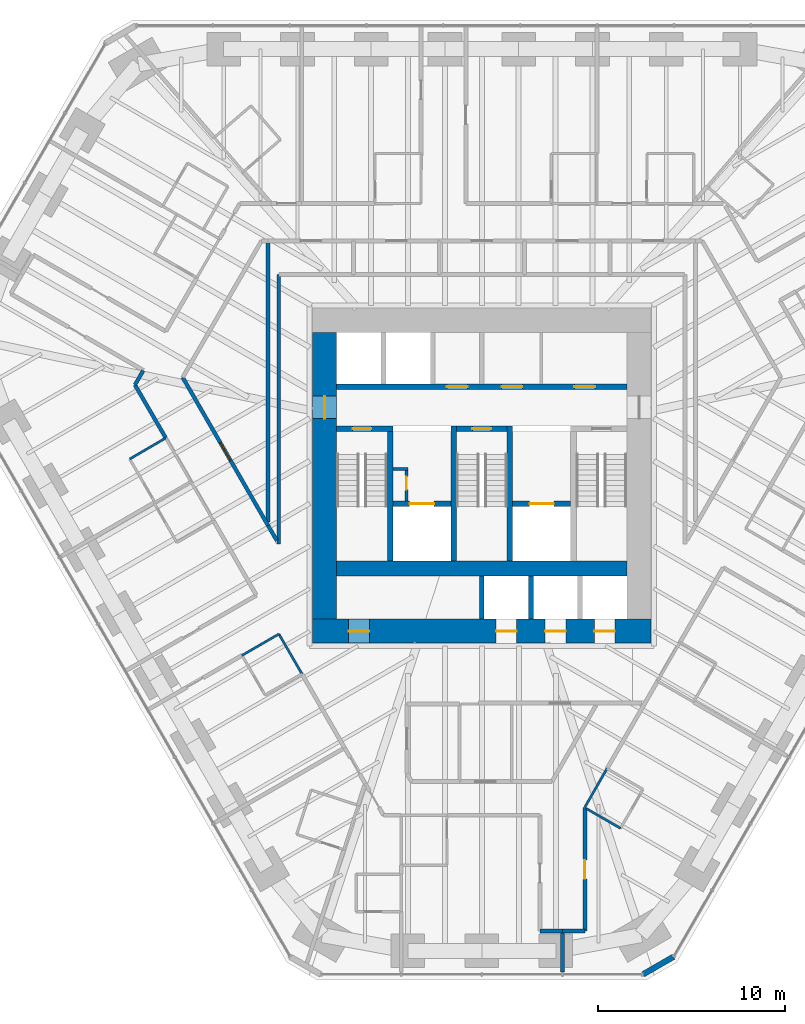
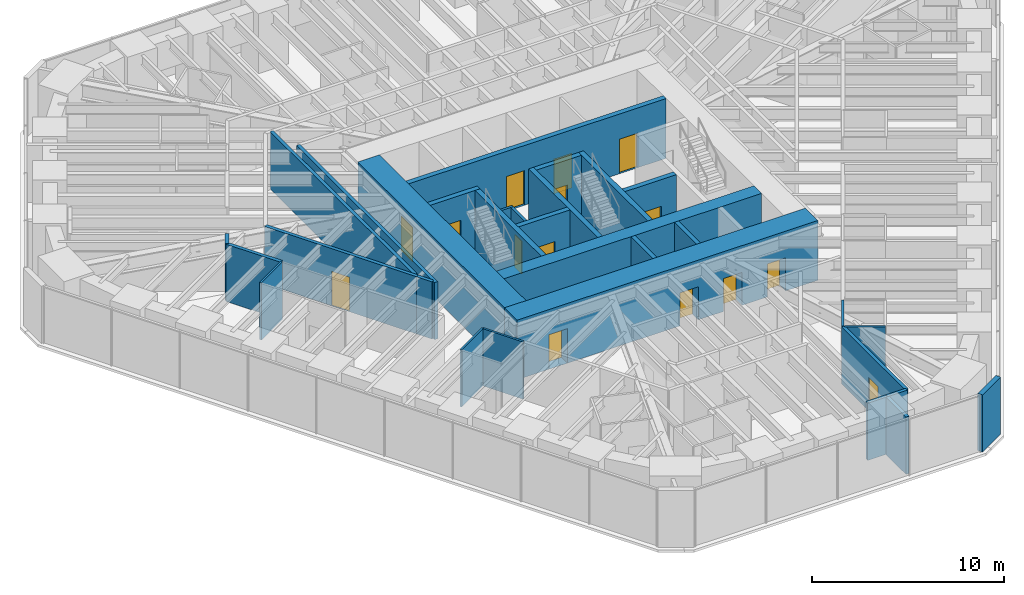
# One storey, part 12 of 17: 31 walls, 15 doors, 15 openings.
"""IFC4 building model written with IfcOpenShell, lengths in metres."""

from ifc_helpers import new_model, si_unit, direction, frame, frame_2d, origin, place, context, subcontext, project, spatial, rectangle, extrude, material, layer, layer_set, type_object, element, fill, save


model = new_model("IFC4")

# Units and contexts
model_context = context("Model", 3, precision=1e-05, world=origin(), true_north=direction((0.0, 1.0)))
body_context = subcontext(model_context, "Body", "Model", "MODEL_VIEW")
ifc_project = project(units=[si_unit("LENGTHUNIT", "METRE"), si_unit("AREAUNIT", "SQUARE_METRE"), si_unit("VOLUMEUNIT", "CUBIC_METRE"), si_unit("PLANEANGLEUNIT", "RADIAN"), si_unit("MASSUNIT", "GRAM", prefix="KILO")], contexts=[model_context])

# Site, building, storey
site_placement = place(None, origin())
site = spatial("IfcSite", under=ifc_project, at=site_placement, CompositionType="ELEMENT")
building_placement = place(site_placement, origin())
building = spatial("IfcBuilding", under=site, at=building_placement, Name="Sandreach Pilgrim Tower", CompositionType="ELEMENT")
storey_placement = place(building_placement, frame((0.0, 0.0, 127.199951171875)))
storey = spatial("IfcBuildingStorey", under=building, at=storey_placement, Name="L31", CompositionType="ELEMENT", Elevation=127.199951171875)

# Walls
ifc_material_1 = material(Name="Moisture-resistant gypsum board on steel studs", Category="steel")
ifc_layer_1 = layer(ifc_material_1, 0.1201171875)
ifc_layer_set_1 = layer_set([ifc_layer_1], Name="Bathroom partition 120")
wall_type_1 = type_object("IfcWallType", Name="Bathroom partition 120", PredefinedType="PARTITIONING", material=ifc_layer_set_1)
wall_1_placement = place(storey_placement, frame((-16.889892578125, 0.4599609375, 0.0), z_axis=(0.0, 0.0, 1.0), x_axis=(-0.863822716314, -0.503795905878, 0.0)))
element("IfcWall", 1, at=wall_1_placement, inside=storey, type_object=wall_type_1, Name="Bathroom partition L31-016", PredefinedType="PARTITIONING", context=body_context, shape_type="SweptSolid", body=[
    extrude(rectangle(XDim=2.222900390625, YDim=0.1201171875, at=frame_2d((1.111328125, 0.0))), origin(), (0.0, 0.0, 1.0), 3.64013671875),
])
wall_2_placement = place(storey_placement, frame((-12.81005859375, -11.14990234375, 0.0), z_axis=(0.0, 0.0, 1.0), x_axis=(0.865543766642, 0.500833293649, 0.0)))
element("IfcWall", 2, at=wall_2_placement, inside=storey, type_object=wall_type_1, Name="Bathroom partition L31-035", PredefinedType="PARTITIONING", context=body_context, shape_type="SweptSolid", body=[
    extrude(rectangle(XDim=2.27587890625, YDim=0.1201171875, at=frame_2d((1.137939453125, 0.0))), origin(), (0.0, 0.0, 1.0), 3.64013671875),
])
wall_3_placement = place(storey_placement, frame((-10.840087890625, -10.010009765625, 0.0), z_axis=(0.0, 0.0, 1.0), x_axis=(0.500089055364, -0.86597398154, 0.0)))
element("IfcWall", 3, at=wall_3_placement, inside=storey, type_object=wall_type_1, Name="Bathroom partition L31-048", PredefinedType="PARTITIONING", context=body_context, shape_type="SweptSolid", body=[
    extrude(rectangle(XDim=2.45947265625, YDim=0.1201171875, at=frame_2d((1.229736328125, 0.0))), origin(), (0.0, 0.0, 1.0), 3.64013671875),
])
wall_4_placement = place(storey_placement, frame((5.510009765625, -19.25, 0.0), z_axis=(0.0, 0.0, 1.0), x_axis=(0.498837591974, 0.866695481028, 0.0)))
element("IfcWall", 4, at=wall_4_placement, inside=storey, type_object=wall_type_1, Name="Bathroom partition L31-105", PredefinedType="PARTITIONING", context=body_context, shape_type="SweptSolid", body=[
    extrude(rectangle(XDim=2.365478515625, YDim=0.1201171875, at=frame_2d((1.1826171875, 0.0))), origin(), (0.0, 0.0, 1.0), 3.64013671875),
])
wall_5_placement = place(storey_placement, frame((5.566162109375, -19.322509765625, 0.0), z_axis=(0.0, 0.0, 1.0), x_axis=(0.865436746432, -0.501018201192, 0.0)))
element("IfcWall", 5, at=wall_5_placement, inside=storey, type_object=wall_type_1, Name="Bathroom partition L31-106", PredefinedType="PARTITIONING", context=body_context, shape_type="SweptSolid", body=[
    extrude(rectangle(XDim=2.13037109375, YDim=0.1201171875, at=frame_2d((1.065185546875, 0.0))), origin(), (0.0, 0.0, 1.0), 3.64013671875),
])
ifc_material_2 = material(Name="Concrete 10000 psi", Category="concrete")
ifc_layer_2 = layer(ifc_material_2, 0.300048828125)
ifc_layer_set_2 = layer_set([ifc_layer_2], Name="Core inner wall 300")
wall_type_2 = type_object("IfcWallType", Name="Core inner wall 300", PredefinedType="SHEAR", material=ifc_layer_set_2)
for number, where, z_axis, x_axis, name in (
    (6, (-4.89990234375, -6.10009765625, 0.0), (0.0, 0.0, 1.0), (0.0, 1.0, 0.0), "Core wall I0 L31"),
    (7, (-1.5, -6.10009765625, 0.0), (0.0, 0.0, 1.0), (0.0, 1.0, 0.0), "Core wall I1 L31"),
    (8, (1.5, -6.10009765625, 0.0), (0.0, 0.0, 1.0), (0.0, 1.0, 0.0), "Core wall I2 L31"),
):
    element("IfcWall", number, at=place(storey_placement, frame(where, z_axis=z_axis, x_axis=x_axis)), inside=storey, type_object=wall_type_2, Name=name, PredefinedType="SHEAR", context=body_context, shape_type="SweptSolid", body=[
        extrude(rectangle(XDim=7.2001953125, YDim=0.300048828125, at=frame_2d((3.60009765625, 0.0))), origin(), (0.0, 0.0, 1.0), 3.800048828125),
    ])

# Wall, opening, door
wall_6_placement = place(storey_placement, frame((-7.75, 0.949951171875, 0.0), z_axis=(0.0, 0.0, 1.0), x_axis=(1.0, 0.0, 0.0)))
wall_6 = element("IfcWall", 9, at=wall_6_placement, inside=storey, type_object=wall_type_2, Name="Core wall SN1 L31", PredefinedType="SHEAR", context=body_context, shape_type="SweptSolid", body=[
    extrude(rectangle(XDim=3.0, YDim=0.300048828125, at=frame_2d((1.5, 0.0))), origin(), (0.0, 0.0, 1.0), 3.800048828125),
])
opening_1_placement = place(wall_6_placement, frame((0.85009765625, 0.0, 0.0)))
opening_1 = element("IfcOpeningElement", 10, at=opening_1_placement, cuts=wall_6, Name="Opening D10S-ST1", PredefinedType="OPENING", context=body_context, shape_type="SweptSolid", body=[
    extrude(rectangle(XDim=1.0, YDim=2.199951171875, at=frame_2d((0.5, 1.10009765625))), frame((0.0, 0.14990234375, 0.0), z_axis=(0.0, -1.0, 0.0), x_axis=(1.0, 0.0, 0.0)), (0.0, 0.0, 1.0), 0.300048828125),
])
ifc_material_3 = material(Name="Steel door and frame", Category="steel")
door_type_1 = type_object("IfcDoorType", Name="Stair door", OperationType="SINGLE_SWING_LEFT", PredefinedType="DOOR", material=ifc_material_3)
door_1_placement = place(opening_1_placement, origin())
door_1 = element("IfcDoor", 11, at=door_1_placement, inside=storey, type_object=door_type_1, Name="Stair door ST1 L31", OperationType="SINGLE_SWING_LEFT", OverallHeight=2.199951171875, OverallWidth=1.0, PredefinedType="DOOR", context=body_context, shape_type="SweptSolid", body=[
    extrude(rectangle(XDim=1.0, YDim=2.199951171875, at=frame_2d((0.5, 1.10009765625))), frame((0.0, 0.02490234375, 0.0), z_axis=(0.0, -1.0, 0.0), x_axis=(1.0, 0.0, 0.0)), (0.0, 0.0, 1.0), 0.050048828125),
])
fill(opening_1, door_1)

wall_7_placement = place(storey_placement, frame((-1.35009765625, 0.949951171875, 0.0), z_axis=(0.0, 0.0, 1.0), x_axis=(1.0, 0.0, 0.0)))
wall_7 = element("IfcWall", 12, at=wall_7_placement, inside=storey, type_object=wall_type_2, Name="Core wall SN3 L31", PredefinedType="SHEAR", context=body_context, shape_type="SweptSolid", body=[
    extrude(rectangle(XDim=2.7001953125, YDim=0.300048828125, at=frame_2d((1.35009765625, 0.0))), origin(), (0.0, 0.0, 1.0), 3.800048828125),
])
opening_2_placement = place(wall_7_placement, frame((0.85009765625, 0.0, 0.0)))
opening_2 = element("IfcOpeningElement", 13, at=opening_2_placement, cuts=wall_7, Name="Opening D10S-ST3", PredefinedType="OPENING", context=body_context, shape_type="SweptSolid", body=[
    extrude(rectangle(XDim=1.0, YDim=2.199951171875, at=frame_2d((0.5, 1.10009765625))), frame((0.0, 0.14990234375, 0.0), z_axis=(0.0, -1.0, 0.0), x_axis=(1.0, 0.0, 0.0)), (0.0, 0.0, 1.0), 0.300048828125),
])
door_2_placement = place(opening_2_placement, origin())
door_2 = element("IfcDoor", 14, at=door_2_placement, inside=storey, type_object=door_type_1, Name="Stair door ST3 L31", OperationType="SINGLE_SWING_LEFT", OverallHeight=2.199951171875, OverallWidth=1.0, PredefinedType="DOOR", context=body_context, shape_type="SweptSolid", body=[
    extrude(rectangle(XDim=1.0, YDim=2.199951171875, at=frame_2d((0.5, 1.10009765625))), frame((0.0, 0.02490234375, 0.0), z_axis=(0.0, -1.0, 0.0), x_axis=(1.0, 0.0, 0.0)), (0.0, 0.0, 1.0), 0.050048828125),
])
fill(opening_2, door_2)

wall_8_placement = place(storey_placement, frame((-4.75, -3.050048828125, 0.0), z_axis=(0.0, 0.0, 1.0), x_axis=(1.0, 0.0, 0.0)))
wall_8 = element("IfcWall", 15, at=wall_8_placement, inside=storey, type_object=wall_type_2, Name="Core wall FL1 L31", PredefinedType="SHEAR", context=body_context, shape_type="SweptSolid", body=[
    extrude(rectangle(XDim=3.10009765625, YDim=0.300048828125, at=frame_2d((1.550048828125, 0.0))), origin(), (0.0, 0.0, 1.0), 3.800048828125),
])
opening_3_placement = place(wall_8_placement, frame((0.89990234375, 0.0, 0.0)))
opening_3 = element("IfcOpeningElement", 16, at=opening_3_placement, cuts=wall_8, Name="Opening LD13", PredefinedType="OPENING", context=body_context, shape_type="SweptSolid", body=[
    extrude(rectangle(XDim=1.300048828125, YDim=2.10009765625, at=frame_2d((0.64990234375, 1.050048828125))), frame((0.0, 0.14990234375, 0.0), z_axis=(0.0, -1.0, 0.0), x_axis=(1.0, 0.0, 0.0)), (0.0, 0.0, 1.0), 0.300048828125),
])
ifc_material_4 = material(Name="Steel door and frame", Category="steel")
door_type_2 = type_object("IfcDoorType", Name="Fire service lift landing door", OperationType="DOUBLE_DOOR_SLIDING", PredefinedType="DOOR", material=ifc_material_4)
door_3_placement = place(opening_3_placement, origin())
door_3 = element("IfcDoor", 17, at=door_3_placement, inside=storey, type_object=door_type_2, Name="Lift landing door FS1 L31", OperationType="DOUBLE_DOOR_SLIDING", OverallHeight=2.10009765625, OverallWidth=1.300048828125, PredefinedType="DOOR", context=body_context, shape_type="SweptSolid", body=[
    extrude(rectangle(XDim=1.300048828125, YDim=2.10009765625, at=frame_2d((0.64990234375, 1.050048828125))), frame((0.0, 0.02490234375, 0.0), z_axis=(0.0, -1.0, 0.0), x_axis=(1.0, 0.0, 0.0)), (0.0, 0.0, 1.0), 0.050048828125),
])
fill(opening_3, door_3)

wall_9_placement = place(storey_placement, frame((1.64990234375, -3.050048828125, 0.0), z_axis=(0.0, 0.0, 1.0), x_axis=(1.0, 0.0, 0.0)))
wall_9 = element("IfcWall", 18, at=wall_9_placement, inside=storey, type_object=wall_type_2, Name="Core wall FL2 L31", PredefinedType="SHEAR", context=body_context, shape_type="SweptSolid", body=[
    extrude(rectangle(XDim=3.10009765625, YDim=0.300048828125, at=frame_2d((1.550048828125, 0.0))), origin(), (0.0, 0.0, 1.0), 3.800048828125),
])
opening_4_placement = place(wall_9_placement, frame((0.89990234375, 0.0, 0.0)))
opening_4 = element("IfcOpeningElement", 19, at=opening_4_placement, cuts=wall_9, Name="Opening LD13", PredefinedType="OPENING", context=body_context, shape_type="SweptSolid", body=[
    extrude(rectangle(XDim=1.300048828125, YDim=2.10009765625, at=frame_2d((0.64990234375, 1.050048828125))), frame((0.0, 0.14990234375, 0.0), z_axis=(0.0, -1.0, 0.0), x_axis=(1.0, 0.0, 0.0)), (0.0, 0.0, 1.0), 0.300048828125),
])
door_4_placement = place(opening_4_placement, origin())
door_4 = element("IfcDoor", 20, at=door_4_placement, inside=storey, type_object=door_type_2, Name="Lift landing door FS2 L31", OperationType="DOUBLE_DOOR_SLIDING", OverallHeight=2.10009765625, OverallWidth=1.300048828125, PredefinedType="DOOR", context=body_context, shape_type="SweptSolid", body=[
    extrude(rectangle(XDim=1.300048828125, YDim=2.10009765625, at=frame_2d((0.64990234375, 1.050048828125))), frame((0.0, 0.02490234375, 0.0), z_axis=(0.0, -1.0, 0.0), x_axis=(1.0, 0.0, 0.0)), (0.0, 0.0, 1.0), 0.050048828125),
])
fill(opening_4, door_4)

# Wall, openings, doors
wall_10_placement = place(storey_placement, frame((-7.75, 3.199951171875, 0.0), z_axis=(0.0, 0.0, 1.0), x_axis=(1.0, 0.0, 0.0)))
wall_10 = element("IfcWall", 21, at=wall_10_placement, inside=storey, type_object=wall_type_2, Name="Core wall PN L31", PredefinedType="SHEAR", context=body_context, shape_type="SweptSolid", body=[
    extrude(rectangle(XDim=15.5, YDim=0.300048828125, at=frame_2d((7.75, 0.0))), origin(), (0.0, 0.0, 1.0), 3.800048828125),
])
opening_5_placement = place(wall_10_placement, frame((5.887451171875, 0.0, 0.0)))
opening_5 = element("IfcOpeningElement", 22, at=opening_5_placement, cuts=wall_10, Name="Opening D11L", PredefinedType="OPENING", context=body_context, shape_type="SweptSolid", body=[
    extrude(rectangle(XDim=1.10009765625, YDim=2.199951171875, at=frame_2d((0.550048828125, 1.10009765625))), frame((0.0, 0.14990234375, 0.0), z_axis=(0.0, -1.0, 0.0), x_axis=(1.0, 0.0, 0.0)), (0.0, 0.0, 1.0), 0.300048828125),
])
opening_6_placement = place(wall_10_placement, frame((8.8125, 0.0, 0.0)))
opening_6 = element("IfcOpeningElement", 23, at=opening_6_placement, cuts=wall_10, Name="Opening D11L", PredefinedType="OPENING", context=body_context, shape_type="SweptSolid", body=[
    extrude(rectangle(XDim=1.10009765625, YDim=2.199951171875, at=frame_2d((0.550048828125, 1.10009765625))), frame((0.0, 0.14990234375, 0.0), z_axis=(0.0, -1.0, 0.0), x_axis=(1.0, 0.0, 0.0)), (0.0, 0.0, 1.0), 0.300048828125),
])
opening_7_placement = place(wall_10_placement, frame((12.699951171875, 0.0, 0.0)))
opening_7 = element("IfcOpeningElement", 24, at=opening_7_placement, cuts=wall_10, Name="Opening D11L", PredefinedType="OPENING", context=body_context, shape_type="SweptSolid", body=[
    extrude(rectangle(XDim=1.10009765625, YDim=2.199951171875, at=frame_2d((0.550048828125, 1.10009765625))), frame((0.0, 0.14990234375, 0.0), z_axis=(0.0, -1.0, 0.0), x_axis=(1.0, 0.0, 0.0)), (0.0, 0.0, 1.0), 0.300048828125),
])
ifc_material_5 = material(Name="Steel door and frame, smoke seals", Category="steel")
door_type_3 = type_object("IfcDoorType", Name="Core room door", OperationType="SINGLE_SWING_LEFT", PredefinedType="DOOR", material=ifc_material_5)
door_5_placement = place(opening_5_placement, origin())
door_5 = element("IfcDoor", 25, at=door_5_placement, inside=storey, type_object=door_type_3, Name="Door vending and ice room 31K1", OperationType="SINGLE_SWING_LEFT", OverallHeight=2.199951171875, OverallWidth=1.10009765625, PredefinedType="DOOR", context=body_context, shape_type="SweptSolid", body=[
    extrude(rectangle(XDim=1.10009765625, YDim=2.199951171875, at=frame_2d((0.550048828125, 1.10009765625))), frame((0.0, 0.02490234375, 0.0), z_axis=(0.0, -1.0, 0.0), x_axis=(1.0, 0.0, 0.0)), (0.0, 0.0, 1.0), 0.050048828125),
])
fill(opening_5, door_5)
door_6_placement = place(opening_6_placement, origin())
door_6 = element("IfcDoor", 26, at=door_6_placement, inside=storey, type_object=door_type_3, Name="Door linen store 31K2", OperationType="SINGLE_SWING_RIGHT", OverallHeight=2.199951171875, OverallWidth=1.10009765625, PredefinedType="DOOR", context=body_context, shape_type="SweptSolid", body=[
    extrude(rectangle(XDim=1.10009765625, YDim=2.199951171875, at=frame_2d((0.550048828125, 1.10009765625))), frame((0.0, 0.02490234375, 0.0), z_axis=(0.0, -1.0, 0.0), x_axis=(1.0, 0.0, 0.0)), (0.0, 0.0, 1.0), 0.050048828125),
])
fill(opening_6, door_6)
door_7_placement = place(opening_7_placement, origin())
door_7 = element("IfcDoor", 27, at=door_7_placement, inside=storey, type_object=door_type_3, Name="Door cleaners store 31K3", OperationType="SINGLE_SWING_RIGHT", OverallHeight=2.199951171875, OverallWidth=1.10009765625, PredefinedType="DOOR", context=body_context, shape_type="SweptSolid", body=[
    extrude(rectangle(XDim=1.10009765625, YDim=2.199951171875, at=frame_2d((0.550048828125, 1.10009765625))), frame((0.0, 0.02490234375, 0.0), z_axis=(0.0, -1.0, 0.0), x_axis=(1.0, 0.0, 0.0)), (0.0, 0.0, 1.0), 0.050048828125),
])
fill(opening_7, door_7)

# Wall
ifc_material_6 = material(Name="Concrete 10000 psi", Category="concrete")
ifc_layer_3 = layer(ifc_material_6, 0.800048828125)
ifc_layer_set_3 = layer_set([ifc_layer_3], Name="Core mid wall 800")
wall_type_3 = type_object("IfcWallType", Name="Core mid wall 800", PredefinedType="SHEAR", material=ifc_layer_set_3)
wall_11_placement = place(storey_placement, frame((-7.75, -6.5, 0.0), z_axis=(0.0, 0.0, 1.0), x_axis=(1.0, 0.0, 0.0)))
element("IfcWall", 28, at=wall_11_placement, inside=storey, type_object=wall_type_3, Name="Core wall M L31", PredefinedType="SHEAR", context=body_context, shape_type="SweptSolid", body=[
    extrude(rectangle(XDim=15.5, YDim=0.800048828125, at=frame_2d((7.75, 0.0))), origin(), (0.0, 0.0, 1.0), 3.800048828125),
])

# Wall, openings, doors
ifc_material_7 = material(Name="Concrete 10000 psi", Category="concrete")
ifc_layer_4 = layer(ifc_material_7, 1.300048828125)
ifc_layer_set_4 = layer_set([ifc_layer_4], Name="Core wall 1300")
wall_type_4 = type_object("IfcWallType", Name="Core wall 1300", PredefinedType="SHEAR", material=ifc_layer_set_4)
wall_12_placement = place(storey_placement, frame((-9.050048828125, -9.85009765625, 0.0), z_axis=(0.0, 0.0, 1.0), x_axis=(1.0, 0.0, 0.0)))
wall_12 = element("IfcWall", 29, at=wall_12_placement, inside=storey, type_object=wall_type_4, Name="Core wall S L31", PredefinedType="SHEAR", context=body_context, shape_type="SweptSolid", body=[
    extrude(rectangle(XDim=18.10009765625, YDim=1.300048828125, at=frame_2d((9.050048828125, 0.0))), origin(), (0.0, 0.0, 1.0), 3.800048828125),
])
opening_8_placement = place(wall_12_placement, frame((1.9375, 0.0, 0.0)))
opening_8 = element("IfcOpeningElement", 30, at=opening_8_placement, cuts=wall_12, Name="Opening D11H", PredefinedType="OPENING", context=body_context, shape_type="SweptSolid", body=[
    extrude(rectangle(XDim=1.10009765625, YDim=2.199951171875, at=frame_2d((0.550048828125, 1.10009765625))), frame((0.0, 0.64990234375, 0.0), z_axis=(0.0, -1.0, 0.0), x_axis=(1.0, 0.0, 0.0)), (0.0, 0.0, 1.0), 1.300048828125),
])
opening_9_placement = place(wall_12_placement, frame((9.8125, 0.0, 0.0)))
opening_9 = element("IfcOpeningElement", 31, at=opening_9_placement, cuts=wall_12, Name="Opening LD11", PredefinedType="OPENING", context=body_context, shape_type="SweptSolid", body=[
    extrude(rectangle(XDim=1.10009765625, YDim=2.10009765625, at=frame_2d((0.550048828125, 1.050048828125))), frame((0.0, 0.64990234375, 0.0), z_axis=(0.0, -1.0, 0.0), x_axis=(1.0, 0.0, 0.0)), (0.0, 0.0, 1.0), 1.300048828125),
])
opening_10_placement = place(wall_12_placement, frame((12.4375, 0.0, 0.0)))
opening_10 = element("IfcOpeningElement", 32, at=opening_10_placement, cuts=wall_12, Name="Opening LD11", PredefinedType="OPENING", context=body_context, shape_type="SweptSolid", body=[
    extrude(rectangle(XDim=1.10009765625, YDim=2.10009765625, at=frame_2d((0.550048828125, 1.050048828125))), frame((0.0, 0.64990234375, 0.0), z_axis=(0.0, -1.0, 0.0), x_axis=(1.0, 0.0, 0.0)), (0.0, 0.0, 1.0), 1.300048828125),
])
opening_11_placement = place(wall_12_placement, frame((15.0625, 0.0, 0.0)))
opening_11 = element("IfcOpeningElement", 33, at=opening_11_placement, cuts=wall_12, Name="Opening LD11", PredefinedType="OPENING", context=body_context, shape_type="SweptSolid", body=[
    extrude(rectangle(XDim=1.10009765625, YDim=2.10009765625, at=frame_2d((0.550048828125, 1.050048828125))), frame((0.0, 0.64990234375, 0.0), z_axis=(0.0, -1.0, 0.0), x_axis=(1.0, 0.0, 0.0)), (0.0, 0.0, 1.0), 1.300048828125),
])
ifc_material_8 = material(Name="Steel door and frame", Category="steel")
door_type_4 = type_object("IfcDoorType", Name="Back of house door", OperationType="SINGLE_SWING_LEFT", PredefinedType="DOOR", material=ifc_material_8)
door_8_placement = place(opening_8_placement, origin())
door_8 = element("IfcDoor", 34, at=door_8_placement, inside=storey, type_object=door_type_4, Name="Door staff room 31K4", OperationType="SINGLE_SWING_LEFT", OverallHeight=2.199951171875, OverallWidth=1.10009765625, PredefinedType="DOOR", context=body_context, shape_type="SweptSolid", body=[
    extrude(rectangle(XDim=1.10009765625, YDim=2.199951171875, at=frame_2d((0.550048828125, 1.10009765625))), frame((0.0, 0.02490234375, 0.0), z_axis=(0.0, -1.0, 0.0), x_axis=(1.0, 0.0, 0.0)), (0.0, 0.0, 1.0), 0.050048828125),
])
fill(opening_8, door_8)
ifc_material_9 = material(Name="Steel door and frame", Category="steel")
door_type_5 = type_object("IfcDoorType", Name="Lift landing door", OperationType="DOUBLE_DOOR_SLIDING", PredefinedType="DOOR", material=ifc_material_9)
door_9_placement = place(opening_9_placement, origin())
door_9 = element("IfcDoor", 35, at=door_9_placement, inside=storey, type_object=door_type_5, Name="Lift landing door Z2A L31", OperationType="DOUBLE_DOOR_SLIDING", OverallHeight=2.10009765625, OverallWidth=1.10009765625, PredefinedType="DOOR", context=body_context, shape_type="SweptSolid", body=[
    extrude(rectangle(XDim=1.10009765625, YDim=2.10009765625, at=frame_2d((0.550048828125, 1.050048828125))), frame((0.0, 0.02490234375, 0.0), z_axis=(0.0, -1.0, 0.0), x_axis=(1.0, 0.0, 0.0)), (0.0, 0.0, 1.0), 0.050048828125),
])
fill(opening_9, door_9)
door_10_placement = place(opening_10_placement, origin())
door_10 = element("IfcDoor", 36, at=door_10_placement, inside=storey, type_object=door_type_5, Name="Lift landing door Z2B L31", OperationType="DOUBLE_DOOR_SLIDING", OverallHeight=2.10009765625, OverallWidth=1.10009765625, PredefinedType="DOOR", context=body_context, shape_type="SweptSolid", body=[
    extrude(rectangle(XDim=1.10009765625, YDim=2.10009765625, at=frame_2d((0.550048828125, 1.050048828125))), frame((0.0, 0.02490234375, 0.0), z_axis=(0.0, -1.0, 0.0), x_axis=(1.0, 0.0, 0.0)), (0.0, 0.0, 1.0), 0.050048828125),
])
fill(opening_10, door_10)
door_11_placement = place(opening_11_placement, origin())
door_11 = element("IfcDoor", 37, at=door_11_placement, inside=storey, type_object=door_type_5, Name="Lift landing door Z2C L31", OperationType="DOUBLE_DOOR_SLIDING", OverallHeight=2.10009765625, OverallWidth=1.10009765625, PredefinedType="DOOR", context=body_context, shape_type="SweptSolid", body=[
    extrude(rectangle(XDim=1.10009765625, YDim=2.10009765625, at=frame_2d((0.550048828125, 1.050048828125))), frame((0.0, 0.02490234375, 0.0), z_axis=(0.0, -1.0, 0.0), x_axis=(1.0, 0.0, 0.0)), (0.0, 0.0, 1.0), 0.050048828125),
])
fill(opening_11, door_11)

# Wall, opening, door
wall_13_placement = place(storey_placement, frame((-8.39990234375, -9.199951171875, 0.0), z_axis=(0.0, 0.0, 1.0), x_axis=(0.0, 1.0, 0.0)))
wall_13 = element("IfcWall", 38, at=wall_13_placement, inside=storey, type_object=wall_type_4, Name="Core wall W L31", PredefinedType="SHEAR", context=body_context, shape_type="SweptSolid", body=[
    extrude(rectangle(XDim=15.300048828125, YDim=1.300048828125, at=frame_2d((7.64990234375, 0.0))), origin(), (0.0, 0.0, 1.0), 3.800048828125),
])
opening_12_placement = place(wall_13_placement, frame((10.699951171875, 0.0, 0.0)))
opening_12 = element("IfcOpeningElement", 39, at=opening_12_placement, cuts=wall_13, Name="Opening D12F-W", PredefinedType="OPENING", context=body_context, shape_type="SweptSolid", body=[
    extrude(rectangle(XDim=1.199951171875, YDim=2.199951171875, at=frame_2d((0.60009765625, 1.10009765625))), frame((0.0, 0.64990234375, 0.0), z_axis=(0.0, -1.0, 0.0), x_axis=(1.0, 0.0, 0.0)), (0.0, 0.0, 1.0), 1.300048828125),
])
ifc_material_10 = material(Name="Steel door and frame", Category="steel")
door_type_6 = type_object("IfcDoorType", Name="Fire lobby door", OperationType="SINGLE_SWING_LEFT", PredefinedType="DOOR", material=ifc_material_10)
door_12_placement = place(opening_12_placement, origin())
door_12 = element("IfcDoor", 40, at=door_12_placement, inside=storey, type_object=door_type_6, Name="Fire service lobby door W L31", OperationType="SINGLE_SWING_RIGHT", OverallHeight=2.199951171875, OverallWidth=1.199951171875, PredefinedType="DOOR", context=body_context, shape_type="SweptSolid", body=[
    extrude(rectangle(XDim=1.199951171875, YDim=2.199951171875, at=frame_2d((0.60009765625, 1.10009765625))), frame((0.0, 0.02490234375, 0.0), z_axis=(0.0, -1.0, 0.0), x_axis=(1.0, 0.0, 0.0)), (0.0, 0.0, 1.0), 0.050048828125),
])
fill(opening_12, door_12)

# Walls
ifc_material_11 = material(Name="Gypsum board on steel studs, two layers each side", Category="steel")
ifc_layer_5 = layer(ifc_material_11, 0.199951171875)
ifc_layer_set_5 = layer_set([ifc_layer_5], Name="Corridor wall 200")
wall_type_5 = type_object("IfcWallType", Name="Corridor wall 200", PredefinedType="PARTITIONING", material=ifc_layer_set_5)
wall_14_placement = place(storey_placement, frame((-18.530029296875, 3.300048828125, 0.0), z_axis=(0.0, 0.0, 1.0), x_axis=(0.502321995867, -0.864680641895, 0.0)))
element("IfcWall", 41, at=wall_14_placement, inside=storey, type_object=wall_type_5, Name="Corridor wall L31-008", PredefinedType="PARTITIONING", context=body_context, shape_type="SweptSolid", body=[
    extrude(rectangle(XDim=3.28466796875, YDim=0.199951171875, at=frame_2d((1.642333984375, 0.0))), origin(), (0.0, 0.0, 1.0), 3.64013671875),
])
wall_15_placement = place(storey_placement, frame((-18.08740234375, 4.06689453125, 0.0), z_axis=(0.0, 0.0, 1.0), x_axis=(-0.499905448813, -0.866079986056, 0.0)))
element("IfcWall", 42, at=wall_15_placement, inside=storey, type_object=wall_type_5, Name="Corridor wall L31-009", PredefinedType="PARTITIONING", context=body_context, shape_type="SweptSolid", body=[
    extrude(rectangle(XDim=0.885498046875, YDim=0.199951171875, at=frame_2d((0.44287109375, 0.0))), origin(), (0.0, 0.0, 1.0), 3.64013671875),
])

# Wall, opening, door
wall_16_placement = place(storey_placement, frame((-11.419921875, -4.2099609375, 0.0), z_axis=(0.0, 0.0, 1.0), x_axis=(-0.499446957289, 0.866344467781, 0.0)))
wall_16 = element("IfcWall", 43, at=wall_16_placement, inside=storey, type_object=wall_type_5, Name="Corridor wall L31-042", PredefinedType="PARTITIONING", context=body_context, shape_type="SweptSolid", body=[
    extrude(rectangle(XDim=9.130126953125, YDim=0.199951171875, at=frame_2d((4.56494140625, 0.0))), origin(), (0.0, 0.0, 1.0), 3.64013671875),
])
opening_13_placement = place(wall_16_placement, frame((4.01513671875, 0.0, 0.0)))
opening_13 = element("IfcOpeningElement", 44, at=opening_13_placement, cuts=wall_16, Name="Opening D11H-M01", PredefinedType="OPENING", context=body_context, shape_type="SweptSolid", body=[
    extrude(rectangle(XDim=1.10009765625, YDim=2.199951171875, at=frame_2d((0.550048828125, 1.10009765625))), frame((0.0, 0.10009765625, 0.0), z_axis=(0.0, -1.0, 0.0), x_axis=(1.0, 0.0, 0.0)), (0.0, 0.0, 1.0), 0.199951171875),
])
door_13_placement = place(opening_13_placement, origin())
door_13 = element("IfcDoor", 45, at=door_13_placement, inside=storey, type_object=door_type_4, Name="Door 31M01", OperationType="SINGLE_SWING_LEFT", OverallHeight=2.199951171875, OverallWidth=1.10009765625, PredefinedType="DOOR", context=body_context, shape_type="SweptSolid", body=[
    extrude(rectangle(XDim=1.10009765625, YDim=2.199951171875, at=frame_2d((0.550048828125, 1.10009765625))), frame((0.0, 0.02490234375, 0.0), z_axis=(0.0, -1.0, 0.0), x_axis=(1.0, 0.0, 0.0)), (0.0, 0.0, 1.0), 0.050048828125),
])
fill(opening_13, door_13)

# Walls
wall_17_placement = place(storey_placement, frame((-10.947998046875, -5.021484375, 0.0), z_axis=(0.0, 0.0, 1.0), x_axis=(-0.502706337432, 0.86445725071, 0.0)))
element("IfcWall", 46, at=wall_17_placement, inside=storey, type_object=wall_type_5, Name="Corridor wall L31-046", PredefinedType="PARTITIONING", context=body_context, shape_type="SweptSolid", body=[
    extrude(rectangle(XDim=0.938720703125, YDim=0.199951171875, at=frame_2d((0.46923828125, 0.0))), origin(), (0.0, 0.0, 1.0), 3.64013671875),
])
wall_18_placement = place(storey_placement, frame((-10.85009765625, 9.199951171875, 0.0), z_axis=(0.0, 0.0, 1.0), x_axis=(0.0, -1.0, 0.0)))
element("IfcWall", 47, at=wall_18_placement, inside=storey, type_object=wall_type_5, Name="Corridor wall L31-047", PredefinedType="PARTITIONING", context=body_context, shape_type="SweptSolid", body=[
    extrude(rectangle(XDim=14.389892578125, YDim=0.199951171875, at=frame_2d((7.19482421875, 0.0))), origin(), (0.0, 0.0, 1.0), 3.64013671875),
])
for number, where, z_axis, x_axis, name in (
    (48, (3.1201171875, -25.8798828125, 0.0), (0.0, 0.0, 1.0), (1.0, 0.0, 0.0), "Corridor wall L31-098"),
    (49, (4.31005859375, -25.8798828125, 0.0), (0.0, 0.0, 1.0), (1.0, 0.0, 0.0), "Corridor wall L31-103"),
):
    element("IfcWall", number, at=place(storey_placement, frame(where, z_axis=z_axis, x_axis=x_axis)), inside=storey, type_object=wall_type_5, Name=name, PredefinedType="PARTITIONING", context=body_context, shape_type="SweptSolid", body=[
        extrude(rectangle(XDim=1.18994140625, YDim=0.199951171875, at=frame_2d((0.594970703125, 0.0))), origin(), (0.0, 0.0, 1.0), 3.64013671875),
    ])

# Wall, opening, door
wall_19_placement = place(storey_placement, frame((5.510009765625, -25.8798828125, 0.0), z_axis=(0.0, 0.0, 1.0), x_axis=(0.0, 1.0, 0.0)))
wall_19 = element("IfcWall", 50, at=wall_19_placement, inside=storey, type_object=wall_type_5, Name="Corridor wall L31-104", PredefinedType="PARTITIONING", context=body_context, shape_type="SweptSolid", body=[
    extrude(rectangle(XDim=6.58984375, YDim=0.199951171875, at=frame_2d((3.294921875, 0.0))), origin(), (0.0, 0.0, 1.0), 3.64013671875),
])
opening_14_placement = place(wall_19_placement, frame((2.794921875, 0.0, 0.0)))
opening_14 = element("IfcOpeningElement", 51, at=opening_14_placement, cuts=wall_19, Name="Opening D10-11", PredefinedType="OPENING", context=body_context, shape_type="SweptSolid", body=[
    extrude(rectangle(XDim=1.0, YDim=2.1298828125, at=frame_2d((0.5, 1.06494140625))), frame((0.0, 0.10009765625, 0.0), z_axis=(0.0, -1.0, 0.0), x_axis=(1.0, 0.0, 0.0)), (0.0, 0.0, 1.0), 0.199951171875),
])
ifc_material_12 = material(Name="Steel door and frame", Category="steel")
door_type_7 = type_object("IfcDoorType", Name="Guest room entry door", OperationType="SINGLE_SWING_LEFT", PredefinedType="DOOR", material=ifc_material_12)
door_14_placement = place(opening_14_placement, origin())
door_14 = element("IfcDoor", 52, at=door_14_placement, inside=storey, type_object=door_type_7, Name="Door 3111", OperationType="SINGLE_SWING_LEFT", OverallHeight=2.1298828125, OverallWidth=1.0, PredefinedType="DOOR", context=body_context, shape_type="SweptSolid", body=[
    extrude(rectangle(XDim=1.0, YDim=2.1298828125, at=frame_2d((0.5, 1.06494140625))), frame((0.0, 0.02490234375, 0.0), z_axis=(0.0, -1.0, 0.0), x_axis=(1.0, 0.0, 0.0)), (0.0, 0.0, 1.0), 0.050048828125),
])
fill(opening_14, door_14)

# Walls
ifc_material_13 = material(Name="Double steel stud acoustic wall, gypsum board", Category="steel")
ifc_layer_6 = layer(ifc_material_13, 0.199951171875)
ifc_layer_set_6 = layer_set([ifc_layer_6], Name="Party wall 200")
wall_type_6 = type_object("IfcWallType", Name="Party wall 200", PredefinedType="PARTITIONING", material=ifc_layer_set_6)
wall_20_placement = place(storey_placement, frame((-11.419921875, 10.97998046875, 0.0), z_axis=(0.0, 0.0, 1.0), x_axis=(0.0, -1.0, 0.0)))
element("IfcWall", 53, at=wall_20_placement, inside=storey, type_object=wall_type_6, Name="Party wall L31-043", PredefinedType="PARTITIONING", context=body_context, shape_type="SweptSolid", body=[
    extrude(rectangle(XDim=14.994873046875, YDim=0.199951171875, at=frame_2d((7.49755859375, 0.0))), origin(), (0.0, 0.0, 1.0), 3.64013671875),
])
wall_21_placement = place(storey_placement, frame((4.31005859375, -28.070068359375, 0.0), z_axis=(0.0, 0.0, 1.0), x_axis=(0.0, 1.0, 0.0)))
element("IfcWall", 54, at=wall_21_placement, inside=storey, type_object=wall_type_6, Name="Party wall L31-102", PredefinedType="PARTITIONING", context=body_context, shape_type="SweptSolid", body=[
    extrude(rectangle(XDim=2.18017578125, YDim=0.199951171875, at=frame_2d((1.090087890625, 0.0))), origin(), (0.0, 0.0, 1.0), 3.64013671875),
])

# Wall, opening, door
ifc_material_14 = material(Name="Gypsum shaft wall on steel studs, shaft liner board", Category="steel")
ifc_layer_7 = layer(ifc_material_14, 0.14990234375)
ifc_layer_set_7 = layer_set([ifc_layer_7], Name="Riser shaft wall 150")
wall_type_7 = type_object("IfcWallType", Name="Riser shaft wall 150", PredefinedType="PARTITIONING", material=ifc_layer_set_7)
wall_22_placement = place(storey_placement, frame((-4.02490234375, -2.89990234375, 0.0), z_axis=(0.0, 0.0, 1.0), x_axis=(0.0, 1.0, 0.0)))
wall_22 = element("IfcWall", 55, at=wall_22_placement, inside=storey, type_object=wall_type_7, Name="Riser partition L31 side", PredefinedType="PARTITIONING", context=body_context, shape_type="SweptSolid", body=[
    extrude(rectangle(XDim=1.77490234375, YDim=0.14990234375, at=frame_2d((0.887451171875, 0.0))), origin(), (0.0, 0.0, 1.0), 3.64013671875),
])
opening_15_placement = place(wall_22_placement, frame((0.60009765625, 0.0, 0.0)))
opening_15 = element("IfcOpeningElement", 56, at=opening_15_placement, cuts=wall_22, Name="Opening D07R", PredefinedType="OPENING", context=body_context, shape_type="SweptSolid", body=[
    extrude(rectangle(XDim=0.699951171875, YDim=2.10009765625, at=frame_2d((0.35009765625, 1.050048828125))), frame((0.0, 0.074951171875, 0.0), z_axis=(0.0, -1.0, 0.0), x_axis=(1.0, 0.0, 0.0)), (0.0, 0.0, 1.0), 0.14990234375),
])
ifc_material_15 = material(Name="Steel door and frame, smoke seals", Category="steel")
door_type_8 = type_object("IfcDoorType", Name="Riser access door", OperationType="SINGLE_SWING_RIGHT", PredefinedType="DOOR", material=ifc_material_15)
door_15_placement = place(opening_15_placement, origin())
door_15 = element("IfcDoor", 57, at=door_15_placement, inside=storey, type_object=door_type_8, Name="Door riser 31ER", OperationType="SINGLE_SWING_RIGHT", OverallHeight=2.10009765625, OverallWidth=0.699951171875, PredefinedType="DOOR", context=body_context, shape_type="SweptSolid", body=[
    extrude(rectangle(XDim=0.699951171875, YDim=2.10009765625, at=frame_2d((0.35009765625, 1.050048828125))), frame((0.0, 0.02490234375, 0.0), z_axis=(0.0, -1.0, 0.0), x_axis=(1.0, 0.0, 0.0)), (0.0, 0.0, 1.0), 0.050048828125),
])
fill(opening_15, door_15)

# Walls
wall_23_placement = place(storey_placement, frame((-4.75, -1.199951171875, 0.0), z_axis=(0.0, 0.0, 1.0), x_axis=(1.0, 0.0, 0.0)))
element("IfcWall", 58, at=wall_23_placement, inside=storey, type_object=wall_type_7, Name="Riser partition L31 front", PredefinedType="PARTITIONING", context=body_context, shape_type="SweptSolid", body=[
    extrude(rectangle(XDim=0.800048828125, YDim=0.14990234375, at=frame_2d((0.39990234375, 0.0))), origin(), (0.0, 0.0, 1.0), 3.64013671875),
])
ifc_material_16 = material(Name="Gypsum shaft wall on steel studs, two layers of shaft liner board", Category="steel")
ifc_layer_8 = layer(ifc_material_16, 0.25)
ifc_layer_set_8 = layer_set([ifc_layer_8], Name="Shaft partition 250")
wall_type_8 = type_object("IfcWallType", Name="Shaft partition 250", PredefinedType="PARTITIONING", material=ifc_layer_set_8)
for number, where, z_axis, x_axis, name in (
    (59, (0.0, -9.199951171875, 0.0), (0.0, 0.0, 1.0), (0.0, 1.0, 0.0), "Shaft partition XS2 L31"),
    (60, (2.625, -9.199951171875, 0.0), (0.0, 0.0, 1.0), (0.0, 1.0, 0.0), "Shaft partition XS3 L31"),
):
    element("IfcWall", number, at=place(storey_placement, frame(where, z_axis=z_axis, x_axis=x_axis)), inside=storey, type_object=wall_type_8, Name=name, PredefinedType="PARTITIONING", context=body_context, shape_type="SweptSolid", body=[
        extrude(rectangle(XDim=2.300048828125, YDim=0.25, at=frame_2d((1.14990234375, 0.0))), origin(), (0.0, 0.0, 1.0), 3.800048828125),
    ])
ifc_material_17 = material(Name="Terracotta rainscreen on concrete", Category="masonry")
ifc_layer_9 = layer(ifc_material_17, 0.300048828125)
ifc_layer_set_9 = layer_set([ifc_layer_9], Name="Terracotta chamfer pier")
wall_type_9 = type_object("IfcWallType", Name="Terracotta chamfer pier", PredefinedType="SOLIDWALL", material=ifc_layer_set_9)
wall_24_placement = place(storey_placement, frame((10.239501953125, -27.252197265625, 0.0), z_axis=(0.0, 0.0, 1.0), x_axis=(-0.866045024864, -0.499966013754, 0.0)))
element("IfcWall", 61, at=wall_24_placement, inside=storey, type_object=wall_type_9, Name="Chamfer pier L31 SE", PredefinedType="SOLIDWALL", context=body_context, shape_type="SweptSolid", body=[
    extrude(rectangle(XDim=1.880126953125, YDim=0.300048828125, at=frame_2d((0.93994140625, 0.0))), origin(), (0.0, 0.0, 1.0), 3.64013671875),
])

save(model, "model.ifc")
